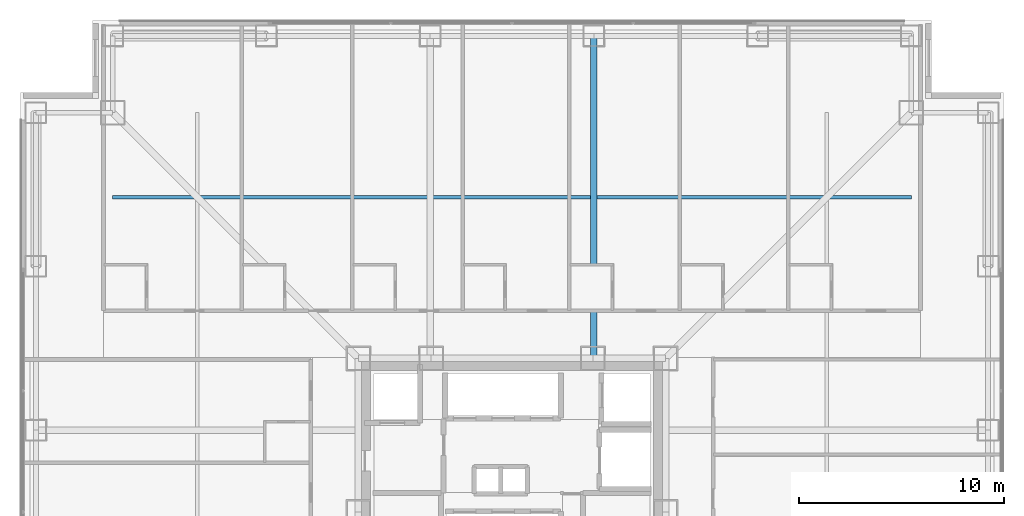
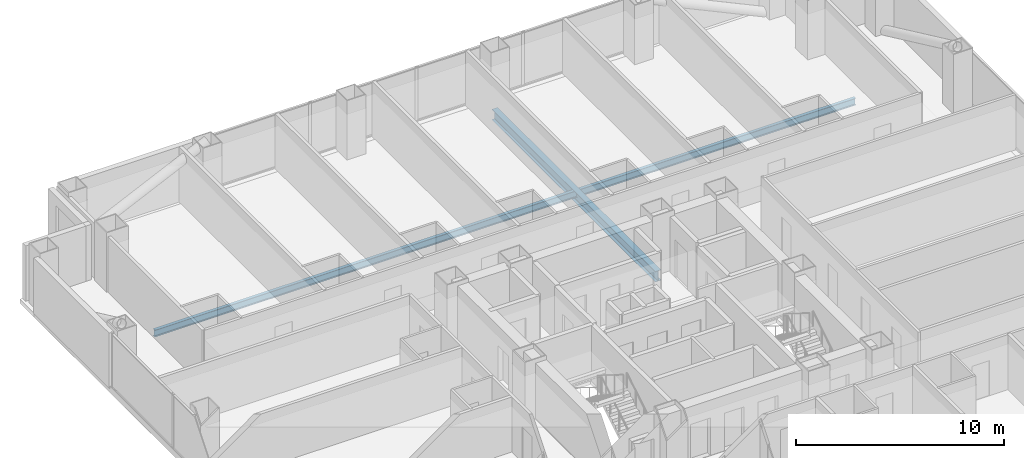
# One storey, part 13 of 23: 2 beams.
"""IFC4 building model written with IfcOpenShell, lengths in metres."""

from ifc_helpers import new_model, si_unit, direction, frame, origin, origin_2d, place, context, subcontext, project, spatial, i_section, extrude, material, material_profile, profile_set, type_object, element, save


model = new_model("IFC4")

# Units and contexts
model_context = context("Model", 3, precision=1e-05, world=origin(), true_north=direction((0.0, 1.0)))
body_context = subcontext(model_context, "Body", "Model", "MODEL_VIEW")
ifc_project = project(units=[si_unit("LENGTHUNIT", "METRE"), si_unit("AREAUNIT", "SQUARE_METRE"), si_unit("VOLUMEUNIT", "CUBIC_METRE"), si_unit("PLANEANGLEUNIT", "RADIAN"), si_unit("MASSUNIT", "GRAM", prefix="KILO")], contexts=[model_context])

# Site, building, storey
site_placement = place(None, origin())
site = spatial("IfcSite", under=ifc_project, at=site_placement, CompositionType="ELEMENT")
building_placement = place(site_placement, origin())
building = spatial("IfcBuilding", under=site, at=building_placement, Name="Trevonay Congress Spire", CompositionType="ELEMENT")
storey_placement = place(building_placement, frame((0.0, 0.0, 34.0)))
storey = spatial("IfcBuildingStorey", under=building, at=storey_placement, Name="L07", CompositionType="ELEMENT", Elevation=34.0)

# Beams
ifc_material = material(Name="Steel ASTM A572 Grade 50", Category="steel")
ifc_material_profile_1 = material_profile(ifc_material, i_section(OverallWidth=0.324951171875, OverallDepth=0.615966796875, WebThickness=0.013916015625, FlangeThickness=0.021484375, FilletRadius=0.01806640625, at=origin_2d()), Name="W610x174")
ifc_profile_set_1 = profile_set([ifc_material_profile_1], Name="Steel ASTM A572 Grade 50")
beam_type_1 = type_object("IfcBeamType", Name="BM-GIRD-W610X174", PredefinedType="BEAM", material=ifc_profile_set_1)
beam_1_placement = place(storey_placement, frame((4.0, 7.5, -0.55810546875), z_axis=(0.0, 1.0, 0.0), x_axis=(-1.0, 0.0, 0.0)))
element("IfcBeam", 1, at=beam_1_placement, inside=storey, type_object=beam_type_1, Name="L07 structural beam BM-L07-GN-P", PredefinedType="BEAM", context=body_context, shape_type="SweptSolid", body=[
    extrude(i_section(OverallWidth=0.324951171875, OverallDepth=0.615966796875, WebThickness=0.013916015625, FlangeThickness=0.021484375, FilletRadius=0.01806640625, at=origin_2d()), origin(), (0.0, 0.0, 1.0), 15.75),
])
ifc_material_profile_2 = material_profile(ifc_material, i_section(OverallWidth=0.177978515625, OverallDepth=0.406982421875, WebThickness=0.0078125, FlangeThickness=0.0126953125, FilletRadius=0.012939453125, at=origin_2d()), Name="W410x60")
ifc_profile_set_2 = profile_set([ifc_material_profile_2], Name="Steel ASTM A572 Grade 50")
beam_type_2 = type_object("IfcBeamType", Name="JS-COMP-W410X60", PredefinedType="JOIST", material=ifc_profile_set_2)
beam_2_placement = place(storey_placement, frame((-19.5, 15.375, -0.45361328125), z_axis=(1.0, 0.0, 0.0), x_axis=(0.0, 1.0, 0.0)))
element("IfcBeam", 2, at=beam_2_placement, inside=storey, type_object=beam_type_2, Name="L07 structural beam JS-L07-RING-N", PredefinedType="JOIST", context=body_context, shape_type="SweptSolid", body=[
    extrude(i_section(OverallWidth=0.177978515625, OverallDepth=0.406982421875, WebThickness=0.0078125, FlangeThickness=0.0126953125, FilletRadius=0.012939453125, at=origin_2d()), origin(), (0.0, 0.0, 1.0), 39.0),
])

save(model, "model.ifc")
